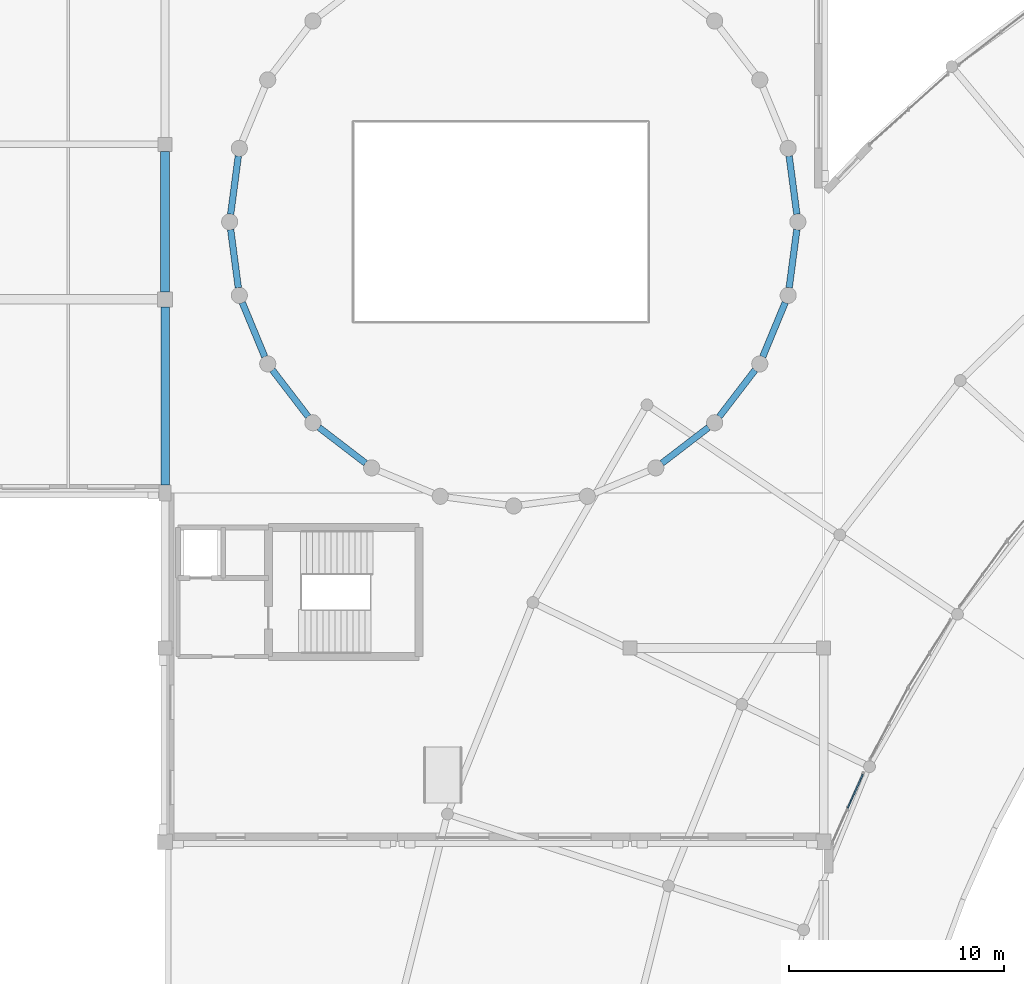
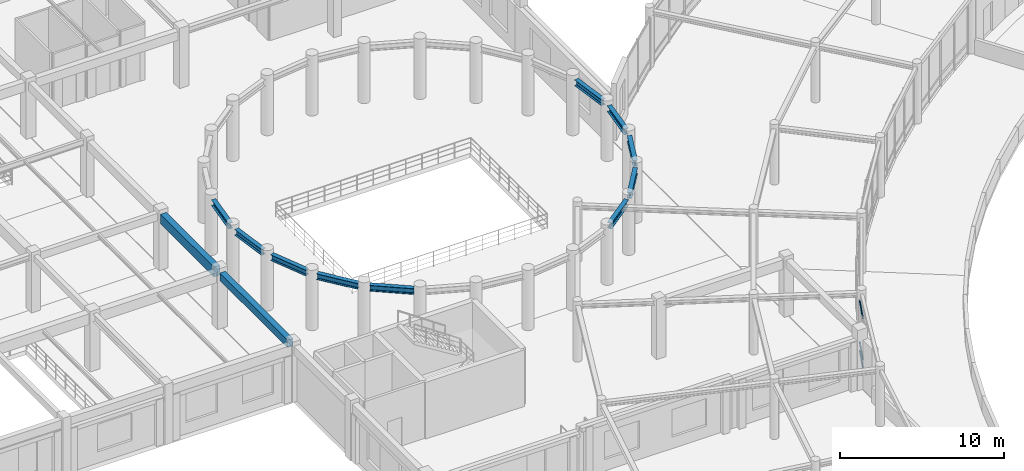
# One storey, part 7 of 62: 12 beams, 3 members, 1 element without a shape of its own.
"""IFC4 building model written with IfcOpenShell, lengths in metres."""

from ifc_helpers import new_model, si_unit, direction, frame, origin, origin_2d, place, context, subcontext, project, spatial, rectangle, i_section, extrude, material, material_profile, profile_set, type_object, element, aggregate, save


model = new_model("IFC4")

# Units and contexts
model_context = context("Model", 3, precision=1e-05, world=origin(), true_north=direction((0.0, 1.0)))
body_context = subcontext(model_context, "Body", "Model", "MODEL_VIEW")
ifc_project = project(units=[si_unit("LENGTHUNIT", "METRE"), si_unit("AREAUNIT", "SQUARE_METRE"), si_unit("VOLUMEUNIT", "CUBIC_METRE"), si_unit("PLANEANGLEUNIT", "RADIAN"), si_unit("MASSUNIT", "GRAM", prefix="KILO")], contexts=[model_context])

# Site, building, storey
site_placement = place(None, origin())
site = spatial("IfcSite", under=ifc_project, at=site_placement, CompositionType="ELEMENT")
building_placement = place(site_placement, origin())
building = spatial("IfcBuilding", under=site, at=building_placement, Name="Clarverna Civic Hall", CompositionType="ELEMENT")
storey_placement = place(building_placement, frame((0.0, 0.0, 5.10009765625)))
storey = spatial("IfcBuildingStorey", under=building, at=storey_placement, Name="L01", CompositionType="ELEMENT", Elevation=5.10009765625)

# Beams
ifc_material_1 = material(Name="Concrete C35/45", Category="concrete")
ifc_material_profile_1 = material_profile(ifc_material_1, rectangle(XDim=0.419921875, YDim=0.719970703125, at=origin_2d()), Name="RC 420x720")
ifc_profile_set_1 = profile_set([ifc_material_profile_1], Name="Concrete C35/45")
beam_type_1 = type_object("IfcBeamType", Name="B-SP1", PredefinedType="SPANDREL", material=ifc_profile_set_1)
beam_1_placement = place(storey_placement, frame((66.60009765625, 55.75, 3.81982421875), z_axis=(0.0, 1.0, 0.0), x_axis=(-1.0, 0.0, 0.0)))
element("IfcBeam", 1, at=beam_1_placement, inside=storey, type_object=beam_type_1, Name="B-SP1-075", PredefinedType="SPANDREL", context=body_context, shape_type="SweptSolid", body=[
    extrude(rectangle(XDim=0.419921875, YDim=0.719970703125, at=origin_2d()), origin(), (0.0, 0.0, 1.0), 6.52490234375),
])
ifc_material_profile_2 = material_profile(ifc_material_1, rectangle(XDim=0.39990234375, YDim=0.56005859375, at=origin_2d()), Name="RC 400x560")
ifc_profile_set_2 = profile_set([ifc_material_profile_2], Name="Concrete C35/45")
beam_type_2 = type_object("IfcBeamType", Name="B-SP4", PredefinedType="SPANDREL", material=ifc_profile_set_2)
beam_2_placement = place(storey_placement, frame((66.60009765625, 46.77490234375, 3.89990234375), z_axis=(0.0, 1.0, 0.0), x_axis=(-1.0, 0.0, 0.0)))
element("IfcBeam", 2, at=beam_2_placement, inside=storey, type_object=beam_type_2, Name="B-SP4-073", PredefinedType="SPANDREL", context=body_context, shape_type="SweptSolid", body=[
    extrude(rectangle(XDim=0.39990234375, YDim=0.56005859375, at=origin_2d()), origin(), (0.0, 0.0, 1.0), 8.275146484375),
])
ifc_material_2 = material(Name="Steel S355", Category="steel")
ifc_material_profile_3 = material_profile(ifc_material_2, i_section(OverallWidth=0.300048828125, OverallDepth=0.43994140625, WebThickness=0.011474609375, FlangeThickness=0.02099609375, FilletRadius=0.027099609375, at=origin_2d()), Name="HEA 450")
ifc_profile_set_3 = profile_set([ifc_material_profile_3], Name="Steel S355")
beam_type_3 = type_object("IfcBeamType", Name="B-ST5", PredefinedType="BEAM", material=ifc_profile_set_3)
for number, where, z_axis, x_axis, name in (
    (3, (95.952880859375, 59.35693359375, 3.9599609375), (-0.130491580956, 0.991449417419, 0.0), (-0.991449417419, -0.130491580956, 0.0), "B-ST5-056"),
    (4, (70.002685546875, 62.0595703125, 3.9599609375), (-0.130491580956, -0.991449417419, 0.0), (0.991449417419, -0.130491580956, 0.0), "B-ST5-067"),
    (5, (69.64697265625, 58.64306640625, 3.9599609375), (0.130491580956, -0.991449417419, 0.0), (0.991449417419, 0.130491580956, 0.0), "B-ST5-068"),
    (6, (70.1875, 55.2509765625, 3.9599609375), (0.38271302584, -0.923867273938, 0.0), (0.923867273938, 0.38271302584, 0.0), "B-ST5-069"),
    (7, (71.587646484375, 52.114501953125, 3.9599609375), (0.608762417801, -0.793352581563, 0.0), (0.793352581563, 0.608762417801, 0.0), "B-ST5-070"),
    (8, (73.751708984375, 49.447021484375, 3.9599609375), (0.793352581563, -0.608762417801, 0.0), (0.608762417801, 0.793352581563, 0.0), "B-ST5-071"),
    (9, (89.685546875, 47.78759765625, 3.9599609375), (0.793352581563, 0.608762417801, 0.0), (-0.608762417801, 0.793352581563, 0.0), "B-ST5-076"),
    (10, (92.35302734375, 49.951904296875, 3.9599609375), (0.608706041243, 0.793395837747, 0.0), (-0.793395837747, 0.608706041243, 0.0), "B-ST5-077"),
    (11, (94.369384765625, 52.732666015625, 3.9599609375), (0.382636575073, 0.923898940045, 0.0), (-0.923898940045, 0.382636575073, 0.0), "B-ST5-078"),
    (12, (95.59716796875, 55.9404296875, 3.9599609375), (0.130491580956, 0.991449417419, 0.0), (-0.991449417419, 0.130491580956, 0.0), "B-ST5-079"),
):
    element("IfcBeam", number, at=place(storey_placement, frame(where, z_axis=z_axis, x_axis=x_axis)), inside=storey, type_object=beam_type_3, Name=name, PredefinedType="BEAM", context=body_context, shape_type="SweptSolid", body=[
        extrude(i_section(OverallWidth=0.300048828125, OverallDepth=0.43994140625, WebThickness=0.011474609375, FlangeThickness=0.02099609375, FilletRadius=0.027099609375, at=origin_2d()), origin(), (0.0, 0.0, 1.0), 2.725830078125),
    ])

# Curtain wall, members
ifc_material_3 = material(Name="Anodised Bronze Architectural Aluminium", Category="aluminium")
curtain_wall_type = type_object("IfcCurtainWallType", Name="CW-03", PredefinedType="USERDEFINED", material=ifc_material_3)
curtain_wall_placement = place(storey_placement, origin())
curtain_wall = element("IfcCurtainWall", 13, at=curtain_wall_placement, inside=storey, type_object=curtain_wall_type, Name="CW-03-047", ObjectType="UNITISED CURTAIN WALL", PredefinedType="USERDEFINED")
ifc_material_profile_4 = material_profile(ifc_material_3, rectangle(XDim=0.06494140625, YDim=0.169921875, at=origin_2d()), Name="BRONZE 65x170")
ifc_profile_set_4 = profile_set([ifc_material_profile_4], Name="Anodised Bronze Architectural Aluminium")
member_type = type_object("IfcMemberType", Name="CWT-03", PredefinedType="USERDEFINED", material=ifc_profile_set_4)
member_1_placement = place(storey_placement, frame((99.017578125, 33.32958984375, 0.094970703125), z_axis=(-0.406758800512, -0.913535592195, 0.0), x_axis=(0.913535592195, -0.406758800512, 0.0)))
member_1 = element("IfcMember", 14, at=member_1_placement, type_object=member_type, Name="CWT-03-115", ObjectType="TRANSOM", PredefinedType="USERDEFINED", context=body_context, shape_type="SweptSolid", body=[
    extrude(rectangle(XDim=0.06494140625, YDim=0.169921875, at=origin_2d()), origin(), (0.0, 0.0, 1.0), 1.716064453125),
])
member_2_placement = place(storey_placement, frame((99.017578125, 33.32958984375, 0.75), z_axis=(-0.406758800512, -0.913535592195, 0.0), x_axis=(0.913535592195, -0.406758800512, 0.0)))
member_2 = element("IfcMember", 15, at=member_2_placement, type_object=member_type, Name="CWT-03-116", ObjectType="TRANSOM", PredefinedType="USERDEFINED", context=body_context, shape_type="SweptSolid", body=[
    extrude(rectangle(XDim=0.06494140625, YDim=0.169921875, at=origin_2d()), origin(), (0.0, 0.0, 1.0), 1.716064453125),
])
member_3_placement = place(storey_placement, frame((99.017578125, 33.32958984375, 3.81494140625), z_axis=(-0.406758800512, -0.913535592195, 0.0), x_axis=(0.913535592195, -0.406758800512, 0.0)))
member_3 = element("IfcMember", 16, at=member_3_placement, type_object=member_type, Name="CWT-03-117", ObjectType="TRANSOM", PredefinedType="USERDEFINED", context=body_context, shape_type="SweptSolid", body=[
    extrude(rectangle(XDim=0.06494140625, YDim=0.169921875, at=origin_2d()), origin(), (0.0, 0.0, 1.0), 1.716064453125),
])
aggregate(curtain_wall, [member_1, member_2, member_3])

save(model, "model.ifc")
